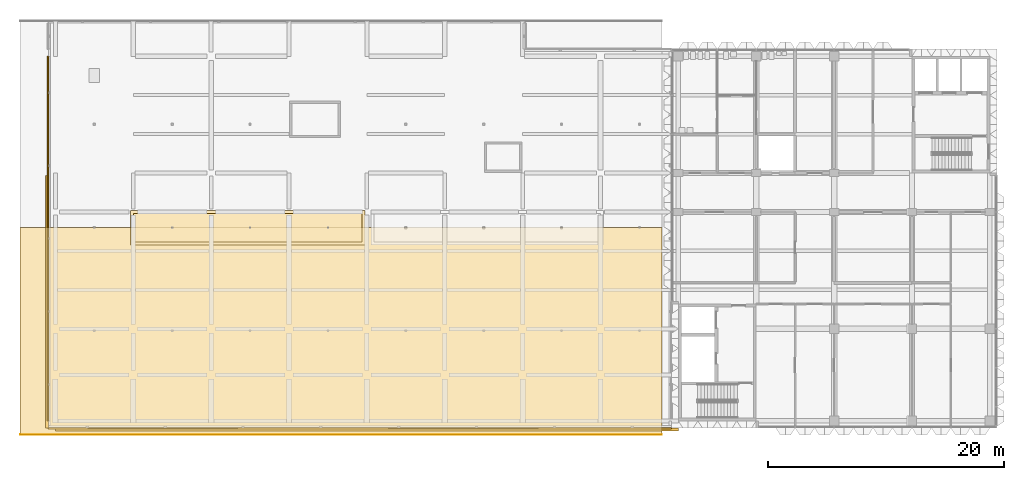
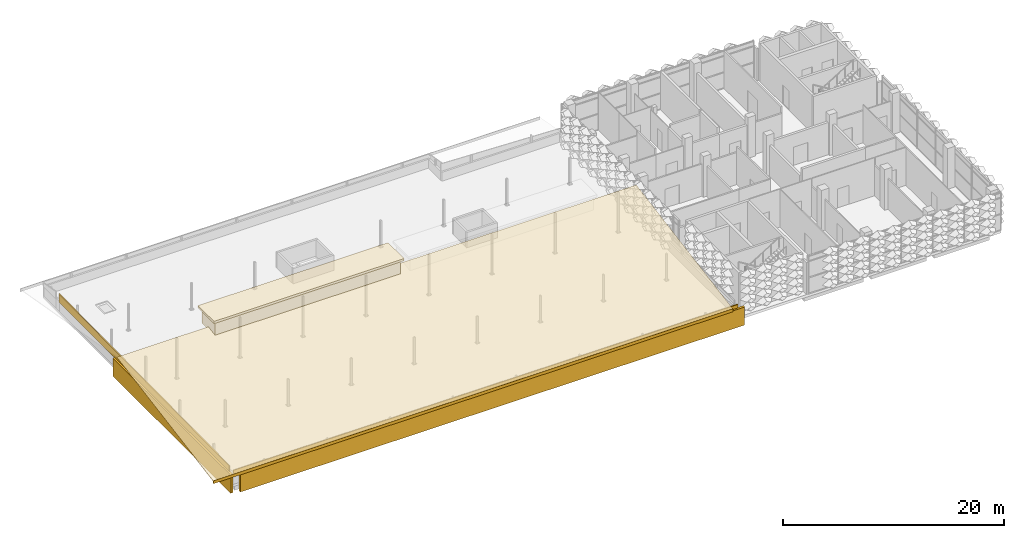
# One storey, part 20 of 39: 9 coverings.
"""IFC4 building model written with IfcOpenShell, lengths in metres."""

from ifc_helpers import new_model, si_unit, direction, frame, frame_2d, origin, origin_2d, place, context, subcontext, project, spatial, polyline, rectangle, outline, extrude, material, layer, layer_set, type_object, element, save


model = new_model("IFC4")

# Units and contexts
model_context = context("Model", 3, precision=1e-05, world=origin(), true_north=direction((0.0, 1.0)))
body_context = subcontext(model_context, "Body", "Model", "MODEL_VIEW")
ifc_project = project(units=[si_unit("LENGTHUNIT", "METRE"), si_unit("AREAUNIT", "SQUARE_METRE"), si_unit("VOLUMEUNIT", "CUBIC_METRE"), si_unit("PLANEANGLEUNIT", "RADIAN"), si_unit("MASSUNIT", "GRAM", prefix="KILO")], contexts=[model_context])

# Site, building, storey
site_placement = place(None, origin())
site = spatial("IfcSite", under=ifc_project, at=site_placement, CompositionType="ELEMENT")
building_placement = place(site_placement, origin())
building = spatial("IfcBuilding", under=site, at=building_placement, Name="Lantern Court Research Institute", CompositionType="ELEMENT")
storey_placement = place(building_placement, frame((0.0, 0.0, 27.89990234375)))
storey = spatial("IfcBuildingStorey", under=building, at=storey_placement, Name="L06", CompositionType="ELEMENT", Elevation=27.89990234375)

# Coverings
ifc_material_1 = material(Name="Anodised aluminium", Category="aluminium")
ifc_layer_1 = layer(ifc_material_1, 0.02001953125)
ifc_layer_set_1 = layer_set([ifc_layer_1], Name="Anodised aluminium")
covering_type_1 = type_object("IfcCoveringType", Name="Eaves soffit lining 20 aluminium", PredefinedType="CLADDING", material=ifc_layer_set_1)
covering_1_placement = place(storey_placement, frame((-3.0, -8.949951171875, 1.4892578125), z_axis=(0.0, -0.173646802795, 0.984807995438), x_axis=(1.0, 0.0, 0.0)))
element("IfcCovering", 1, at=covering_1_placement, inside=storey, type_object=covering_type_1, Name="Eaves soffit lining V4 1", PredefinedType="CLADDING", context=body_context, shape_type="SweptSolid", body=[
    extrude(outline(polyline([(0.0, 0.0), (54.39990234375, 0.0), (54.39990234375, 17.79524782996184), (0.0, 17.79524782996184), (0.0, 0.0)])), origin(), (0.0, 0.0, -1.0), 0.02001953125),
])
ifc_material_2 = material(Name="Aluminium composite panel with mineral wool insulation", Category="aluminium")
ifc_layer_2 = layer(ifc_material_2, 0.25)
ifc_layer_set_2 = layer_set([ifc_layer_2], Name="Aluminium composite panel with mineral wool insulation")
covering_type_2 = type_object("IfcCoveringType", Name="Oversail edge band 250 aluminium composite", PredefinedType="CLADDING", material=ifc_layer_set_2)
covering_2_placement = place(storey_placement, frame((0.0, -8.52490234375, -0.89990234375), z_axis=(0.0, 0.0, 1.0), x_axis=(1.0, 0.0, 0.0)))
element("IfcCovering", 2, at=covering_2_placement, inside=storey, type_object=covering_type_2, Name="Oversail edge band V4S 3", PredefinedType="CLADDING", context=body_context, shape_type="SweptSolid", body=[
    extrude(rectangle(XDim=52.800048828125, YDim=0.25, at=frame_2d((26.39990234375, 0.0))), origin(), (0.0, 0.0, 1.0), 2.0),
])
covering_3_placement = place(storey_placement, frame((-0.72509765625, -8.39990234375, -0.89990234375), z_axis=(0.0, 0.0, 1.0), x_axis=(0.0, 1.0, 0.0)))
element("IfcCovering", 3, at=covering_3_placement, inside=storey, type_object=covering_type_2, Name="Oversail edge band V4W 6", PredefinedType="CLADDING", context=body_context, shape_type="SweptSolid", body=[
    extrude(rectangle(XDim=21.39990234375, YDim=0.25, at=frame_2d((10.699951171875, 0.0))), origin(), (0.0, 0.0, 1.0), 2.0),
])
ifc_material_3 = material(Name="Aluminium composite panel with mineral wool insulation", Category="aluminium")
ifc_layer_3 = layer(ifc_material_3, 0.10009765625)
ifc_layer_set_3 = layer_set([ifc_layer_3], Name="Aluminium composite panel with mineral wool insulation")
covering_type_3 = type_object("IfcCoveringType", Name="Parapet cornice strip 100 aluminium composite", PredefinedType="CLADDING", material=ifc_layer_set_3)
covering_4_placement = place(storey_placement, frame((-0.574951171875, 23.10009765625, -27.89990234375), z_axis=(-1.0, 0.0, 0.0), x_axis=(0.0, -1.0, 0.0)))
element("IfcCovering", 4, at=covering_4_placement, inside=storey, type_object=covering_type_3, Name="Parapet cornice strip V4 1", PredefinedType="CLADDING", context=body_context, shape_type="SweptSolid", body=[
    extrude(outline(polyline([(0.0, 29.0), (30.89990234375, 29.0), (30.89990234375, 29.591552734375), (0.0, 29.917724609375), (0.0, 29.0)])), origin(), (0.0, 0.0, 1.0), 0.10009765625),
])
covering_5_placement = place(storey_placement, frame((-0.60009765625, -8.375, -27.89990234375), z_axis=(0.0, -1.0, 0.0), x_axis=(1.0, 0.0, 0.0)))
element("IfcCovering", 5, at=covering_5_placement, inside=storey, type_object=covering_type_3, Name="Parapet cornice strip V4 2", PredefinedType="CLADDING", context=body_context, shape_type="SweptSolid", body=[
    extrude(outline(polyline([(0.0, 29.0), (52.800048828125, 29.0), (52.800048828125, 29.388671875), (0.0, 29.50341796875), (0.0, 29.0)])), origin(), (0.0, 0.0, 1.0), 0.10009765625),
])
ifc_material_4 = material(Name="Anodised aluminium", Category="aluminium")
ifc_layer_4 = layer(ifc_material_4, 0.06005859375)
ifc_layer_set_4 = layer_set([ifc_layer_4], Name="Anodised aluminium")
covering_type_4 = type_object("IfcCoveringType", Name="Parasol roof sheet 60 standing-seam aluminium", PredefinedType="ROOFING", material=ifc_layer_set_4)
covering_6_placement = place(storey_placement, frame((-3.0, -8.949951171875, 1.550048828125), z_axis=(0.0, -0.173646802795, 0.984807995438), x_axis=(1.0, 0.0, 0.0)))
element("IfcCovering", 6, at=covering_6_placement, inside=storey, type_object=covering_type_4, Name="Parasol roof sheet V4 1", PredefinedType="ROOFING", context=body_context, shape_type="SweptSolid", body=[
    extrude(outline(polyline([(0.0, 0.0), (54.39990234375, 0.0), (54.39990234375, 17.79524782996184), (0.0, 17.79524782996184), (0.0, 0.0)])), origin(), (0.0, 0.0, -1.0), 0.06005859375),
])
ifc_material_5 = material(Name="Anodised aluminium", Category="aluminium")
ifc_layer_5 = layer(ifc_material_5, 0.030029296875)
ifc_layer_set_5 = layer_set([ifc_layer_5], Name="Anodised aluminium")
covering_type_5 = type_object("IfcCoveringType", Name="Roof fascia 30 x 300 aluminium", PredefinedType="CLADDING", material=ifc_layer_set_5)
covering_7_placement = place(storey_placement, frame((-3.0, -8.945068359375, 1.25), z_axis=(0.0, 0.0, 1.0), x_axis=(1.0, 0.0, 0.0)))
element("IfcCovering", 7, at=covering_7_placement, inside=storey, type_object=covering_type_5, Name="Roof fascia V4 S", PredefinedType="CLADDING", context=body_context, shape_type="SweptSolid", body=[
    extrude(rectangle(XDim=54.39990234375, YDim=0.030029296875, at=frame_2d((27.199951171875, 0.0))), origin(), (0.0, 0.0, 1.0), 0.340087890625),
])
ifc_material_6 = material(Name="Aluminium composite panel with mineral wool insulation", Category="aluminium")
ifc_layer_6 = layer(ifc_material_6, 0.10009765625)
ifc_layer_set_6 = layer_set([ifc_layer_6], Name="Aluminium composite panel with mineral wool insulation")
covering_type_6 = type_object("IfcCoveringType", Name="Tower crown cladding 100 aluminium composite", PredefinedType="CLADDING", material=ifc_layer_set_6)
covering_8_placement = place(storey_placement, frame((16.300048828125, 8.574951171875, 4.340087890625), z_axis=(0.0, 0.0, 1.0), x_axis=(1.0, 0.0, 0.0)))
element("IfcCovering", 8, at=covering_8_placement, inside=storey, type_object=covering_type_6, Name="Ridge lantern 1", PredefinedType="CLADDING", context=body_context, shape_type="SweptSolid", body=[
    extrude(rectangle(XDim=19.39990234375, YDim=2.39990234375, at=origin_2d()), origin(), (0.0, 0.0, 1.0), 1.60009765625),
])
covering_9_placement = place(storey_placement, frame((16.300048828125, 8.574951171875, 5.940185546875), z_axis=(0.0, 0.0, 1.0), x_axis=(1.0, 0.0, 0.0)))
element("IfcCovering", 9, at=covering_9_placement, inside=storey, type_object=covering_type_6, Name="Ridge lantern cornice 1", PredefinedType="CLADDING", context=body_context, shape_type="SweptSolid", body=[
    extrude(rectangle(XDim=19.89990234375, YDim=2.89990234375, at=origin_2d()), origin(), (0.0, 0.0, 1.0), 0.25),
])

save(model, "model.ifc")
